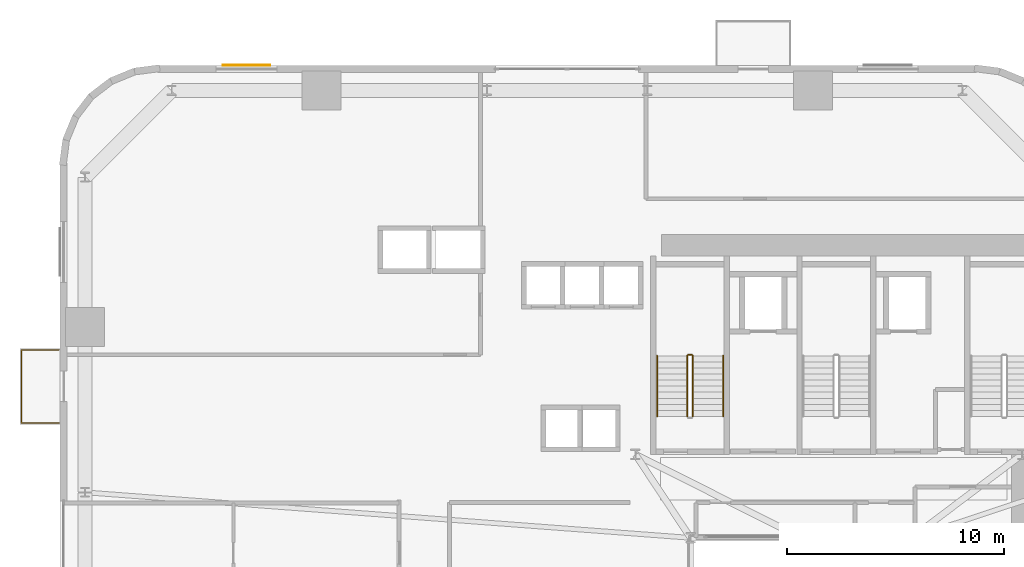
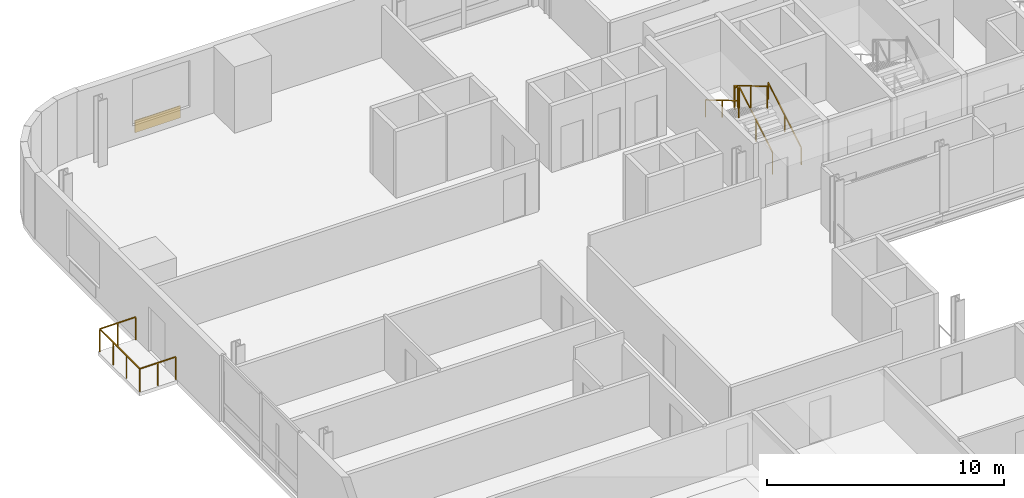
# One storey, part 16 of 18: 6 railings, 1 covering.
"""IFC4 building model written with IfcOpenShell, lengths in metres."""

from ifc_helpers import new_model, si_unit, direction, frame, origin, origin_2d, place, context, subcontext, project, spatial, rectangle, extrude, source, transform, mapped, material, layer, layer_set, type_object, element, save


model = new_model("IFC4")

# Units and contexts
model_context = context("Model", 3, precision=1e-05, world=origin(), true_north=direction((0.0, 1.0)))
body_context = subcontext(model_context, "Body", "Model", "MODEL_VIEW")
ifc_project = project(units=[si_unit("LENGTHUNIT", "METRE"), si_unit("AREAUNIT", "SQUARE_METRE"), si_unit("VOLUMEUNIT", "CUBIC_METRE"), si_unit("PLANEANGLEUNIT", "RADIAN"), si_unit("MASSUNIT", "GRAM", prefix="KILO")], contexts=[model_context])

# Site, building, storey
site_placement = place(None, origin())
site = spatial("IfcSite", under=ifc_project, at=site_placement, CompositionType="ELEMENT")
building_placement = place(site_placement, origin())
building = spatial("IfcBuilding", under=site, at=building_placement, Name="Vardaveli Station Tower", CompositionType="ELEMENT")
storey_placement = place(building_placement, frame((0.0, 0.0, 27.60009765625)))
storey = spatial("IfcBuildingStorey", under=building, at=storey_placement, Name="L06", CompositionType="ELEMENT", Elevation=27.60009765625)

# Covering
ifc_material_1 = material(Name="Ventilated honed travertine stone cladding", Category="masonry")
ifc_layer = layer(ifc_material_1, 0.044921875, Name="Ventilated honed travertine stone cladding")
ifc_layer_set = layer_set([ifc_layer], Name="Ventilated honed travertine stone cladding")
covering_type = type_object("IfcCoveringType", Name="COV-CLAD-TR45", PredefinedType="CLADDING", material=ifc_layer_set)
shared_shape_1 = source(origin(), body_context, "Body", "SweptSolid", [
    extrude(rectangle(XDim=2.199951171875, YDim=0.044921875, at=origin_2d()), origin(), (0.0, 0.0, 1.0), 0.6201171875),
])
covering_placement = place(storey_placement, frame((10.705078125, 48.614501953125, 0.06982421875), z_axis=(0.0, 0.0, 1.0), x_axis=(1.0, 0.0, 0.0)))
element("IfcCovering", 1, at=covering_placement, inside=storey, type_object=covering_type, Name="CLD-TR-L06-N", PredefinedType="CLADDING", context=body_context, shape_type="MappedRepresentation", body=[
    mapped(shared_shape_1, transform((0.0, 0.0, 0.0), scale=1.0)),
])

# Railings
ifc_material_2 = material(Name="Laminated glass and stainless steel balustrade", Category="steel")
railing_type_1 = type_object("IfcRailingType", Name="RL-BAL-1200", PredefinedType="BALUSTRADE", material=ifc_material_2)
shared_shape_2 = source(origin(), body_context, "Body", "SweptSolid", [
    extrude(rectangle(XDim=0.048095703125, YDim=0.048095703125, at=origin_2d()), frame((0.0, 0.0, 1.17578125), z_axis=(-1.0, 0.0, 0.0), x_axis=(0.0, -1.0, 0.0)), (0.0, 0.0, 1.0), 1.75),
    extrude(rectangle(XDim=0.048095703125, YDim=0.048095703125, at=origin_2d()), frame((-1.75, 0.0, 1.17578125), z_axis=(0.0, 1.0, 0.0), x_axis=(-1.0, 0.0, 0.0)), (0.0, 0.0, 1.0), 3.3798828125),
    extrude(rectangle(XDim=0.048095703125, YDim=0.048095703125, at=origin_2d()), frame((-1.75, 3.3798828125, 1.17578125), z_axis=(1.0, 0.0, 0.0), x_axis=(0.0, 1.0, 0.0)), (0.0, 0.0, 1.0), 1.75),
    extrude(rectangle(XDim=0.0419921875, YDim=0.0419921875, at=origin_2d()), origin(), (0.0, 0.0, 1.0), 1.15185546875),
    extrude(rectangle(XDim=0.0419921875, YDim=0.0419921875, at=origin_2d()), frame((-0.875, 0.0, 0.0)), (0.0, 0.0, 1.0), 1.15185546875),
    extrude(rectangle(XDim=0.0419921875, YDim=0.0419921875, at=origin_2d()), frame((-1.75, 0.0, 0.0)), (0.0, 0.0, 1.0), 1.15185546875),
    extrude(rectangle(XDim=0.0419921875, YDim=0.0419921875, at=origin_2d()), frame((-1.75, 1.126708984375, 0.0)), (0.0, 0.0, 1.0), 1.15185546875),
    extrude(rectangle(XDim=0.0419921875, YDim=0.0419921875, at=origin_2d()), frame((-1.75, 2.253173828125, 0.0)), (0.0, 0.0, 1.0), 1.15185546875),
    extrude(rectangle(XDim=0.0419921875, YDim=0.0419921875, at=origin_2d()), frame((-1.75, 3.3798828125, 0.0)), (0.0, 0.0, 1.0), 1.15185546875),
    extrude(rectangle(XDim=0.0419921875, YDim=0.0419921875, at=origin_2d()), frame((-0.875, 3.3798828125, 0.0)), (0.0, 0.0, 1.0), 1.15185546875),
    extrude(rectangle(XDim=0.0419921875, YDim=0.0419921875, at=origin_2d()), frame((0.0, 3.3798828125, 0.0)), (0.0, 0.0, 1.0), 1.15185546875),
])
railing_1_placement = place(storey_placement, frame((2.06005859375, 32.099609375, 0.0)))
element("IfcRailing", 2, at=railing_1_placement, inside=storey, type_object=railing_type_1, Name="RL-LOG-L06-03", PredefinedType="BALUSTRADE", context=body_context, shape_type="MappedRepresentation", body=[
    mapped(shared_shape_2, transform((0.0, 0.0, 0.0), scale=1.0)),
])
ifc_material_3 = material(Name="Brushed AISI 316 stainless steel", Category="steel")
railing_type_2 = type_object("IfcRailingType", Name="RL-GUARD-1150", PredefinedType="GUARDRAIL", material=ifc_material_3)
shared_shape_3 = source(origin(), body_context, "Body", "SweptSolid", [
    extrude(rectangle(XDim=0.048095703125, YDim=0.048095703125, at=origin_2d()), frame((0.0, 0.0, 1.1259765625), z_axis=(-1.0, 0.0, 0.0), x_axis=(0.0, -1.0, 0.0)), (0.0, 0.0, 1.0), 0.14990234375),
    extrude(rectangle(XDim=0.0419921875, YDim=0.0419921875, at=origin_2d()), origin(), (0.0, 0.0, 1.0), 1.101806640625),
    extrude(rectangle(XDim=0.0419921875, YDim=0.0419921875, at=origin_2d()), frame((-0.14990234375, 0.0, 0.0)), (0.0, 0.0, 1.0), 1.101806640625),
])
railing_2_placement = place(storey_placement, frame((31.25, 35.25, 1.824951171875)))
element("IfcRailing", 3, at=railing_2_placement, inside=storey, type_object=railing_type_2, Name="L06 ST-1 stair guard 2", PredefinedType="GUARDRAIL", context=body_context, shape_type="MappedRepresentation", body=[
    mapped(shared_shape_3, transform((0.0, 0.0, 0.0), scale=1.0)),
])
shared_shape_4 = source(origin(), body_context, "Body", "SweptSolid", [
    extrude(rectangle(XDim=0.048095703125, YDim=0.048095703125, at=origin_2d()), frame((0.0, 0.0, 1.1259765625), z_axis=(0.0, 0.860306154799, 0.50977771628), x_axis=(-1.0, 0.0, 0.0)), (0.0, 0.0, 1.0), 3.254638671875),
    extrude(rectangle(XDim=0.0419921875, YDim=0.0419921875, at=origin_2d()), origin(), (0.0, 0.0, 1.0), 1.101806640625),
    extrude(rectangle(XDim=0.0419921875, YDim=0.0419921875, at=origin_2d()), frame((0.0, 1.39990234375, 0.82958984375)), (0.0, 0.0, 1.0), 1.101806640625),
    extrude(rectangle(XDim=0.0419921875, YDim=0.0419921875, at=origin_2d()), frame((0.0, 2.800048828125, 1.6591796875)), (0.0, 0.0, 1.0), 1.101806640625),
])
railing_3_placement = place(storey_placement, frame((31.300048828125, 32.39990234375, 0.165771484375)))
element("IfcRailing", 4, at=railing_3_placement, inside=storey, type_object=railing_type_2, Name="L06 ST-1 stair guard 1", PredefinedType="GUARDRAIL", context=body_context, shape_type="MappedRepresentation", body=[
    mapped(shared_shape_4, transform((0.0, 0.0, 0.0), scale=1.0)),
])
shared_shape_5 = source(origin(), body_context, "Body", "SweptSolid", [
    extrude(rectangle(XDim=0.048095703125, YDim=0.048095703125, at=origin_2d()), frame((0.0, 0.0, 1.1259765625), z_axis=(0.0, -0.860306154799, 0.50977771628), x_axis=(1.0, 0.0, 0.0)), (0.0, 0.0, 1.0), 3.254638671875),
    extrude(rectangle(XDim=0.0419921875, YDim=0.0419921875, at=origin_2d()), origin(), (0.0, 0.0, 1.0), 1.101806640625),
    extrude(rectangle(XDim=0.0419921875, YDim=0.0419921875, at=origin_2d()), frame((0.0, -1.39990234375, 0.82958984375)), (0.0, 0.0, 1.0), 1.101806640625),
    extrude(rectangle(XDim=0.0419921875, YDim=0.0419921875, at=origin_2d()), frame((0.0, -2.800048828125, 1.6591796875)), (0.0, 0.0, 1.0), 1.101806640625),
])
railing_4_placement = place(storey_placement, frame((31.050048828125, 35.199951171875, 1.99072265625)))
element("IfcRailing", 5, at=railing_4_placement, inside=storey, type_object=railing_type_2, Name="L06 ST-1 stair guard 3", PredefinedType="GUARDRAIL", context=body_context, shape_type="MappedRepresentation", body=[
    mapped(shared_shape_5, transform((0.0, 0.0, 0.0), scale=1.0)),
])
railing_type_3 = type_object("IfcRailingType", Name="RL-HAND-900", PredefinedType="HANDRAIL", material=ifc_material_3)
shared_shape_6 = source(origin(), body_context, "Body", "SweptSolid", [
    extrude(rectangle(XDim=0.048095703125, YDim=0.048095703125, at=origin_2d()), frame((0.0, 0.0, 0.8759765625), z_axis=(0.0, 0.860306154799, 0.50977771628), x_axis=(-1.0, 0.0, 0.0)), (0.0, 0.0, 1.0), 3.254638671875),
    extrude(rectangle(XDim=0.0419921875, YDim=0.0419921875, at=origin_2d()), origin(), (0.0, 0.0, 1.0), 0.851806640625),
    extrude(rectangle(XDim=0.0419921875, YDim=0.0419921875, at=origin_2d()), frame((0.0, 1.39990234375, 0.82958984375)), (0.0, 0.0, 1.0), 0.851806640625),
    extrude(rectangle(XDim=0.0419921875, YDim=0.0419921875, at=origin_2d()), frame((0.0, 2.800048828125, 1.6591796875)), (0.0, 0.0, 1.0), 0.851806640625),
])
railing_5_placement = place(storey_placement, frame((32.699951171875, 32.39990234375, 0.165771484375)))
element("IfcRailing", 6, at=railing_5_placement, inside=storey, type_object=railing_type_3, Name="L06 ST-1 stair handrail 1", PredefinedType="HANDRAIL", context=body_context, shape_type="MappedRepresentation", body=[
    mapped(shared_shape_6, transform((0.0, 0.0, 0.0), scale=1.0)),
])
shared_shape_7 = source(origin(), body_context, "Body", "SweptSolid", [
    extrude(rectangle(XDim=0.048095703125, YDim=0.048095703125, at=origin_2d()), frame((0.0, 0.0, 0.8759765625), z_axis=(0.0, -0.860306154799, 0.50977771628), x_axis=(1.0, 0.0, 0.0)), (0.0, 0.0, 1.0), 3.254638671875),
    extrude(rectangle(XDim=0.0419921875, YDim=0.0419921875, at=origin_2d()), origin(), (0.0, 0.0, 1.0), 0.851806640625),
    extrude(rectangle(XDim=0.0419921875, YDim=0.0419921875, at=origin_2d()), frame((0.0, -1.39990234375, 0.82958984375)), (0.0, 0.0, 1.0), 0.851806640625),
    extrude(rectangle(XDim=0.0419921875, YDim=0.0419921875, at=origin_2d()), frame((0.0, -2.800048828125, 1.6591796875)), (0.0, 0.0, 1.0), 0.851806640625),
])
railing_6_placement = place(storey_placement, frame((29.64990234375, 35.199951171875, 1.99072265625)))
element("IfcRailing", 7, at=railing_6_placement, inside=storey, type_object=railing_type_3, Name="L06 ST-1 stair handrail 2", PredefinedType="HANDRAIL", context=body_context, shape_type="MappedRepresentation", body=[
    mapped(shared_shape_7, transform((0.0, 0.0, 0.0), scale=1.0)),
])

save(model, "model.ifc")
